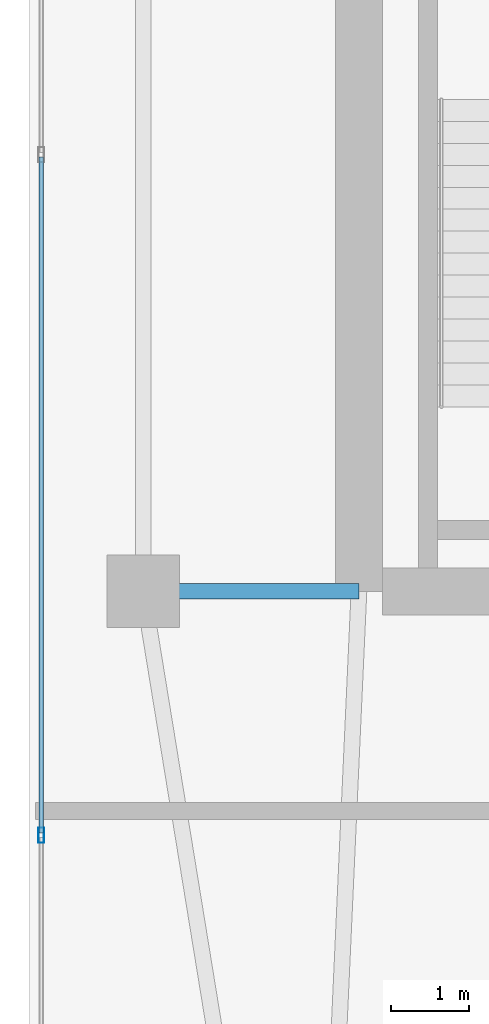
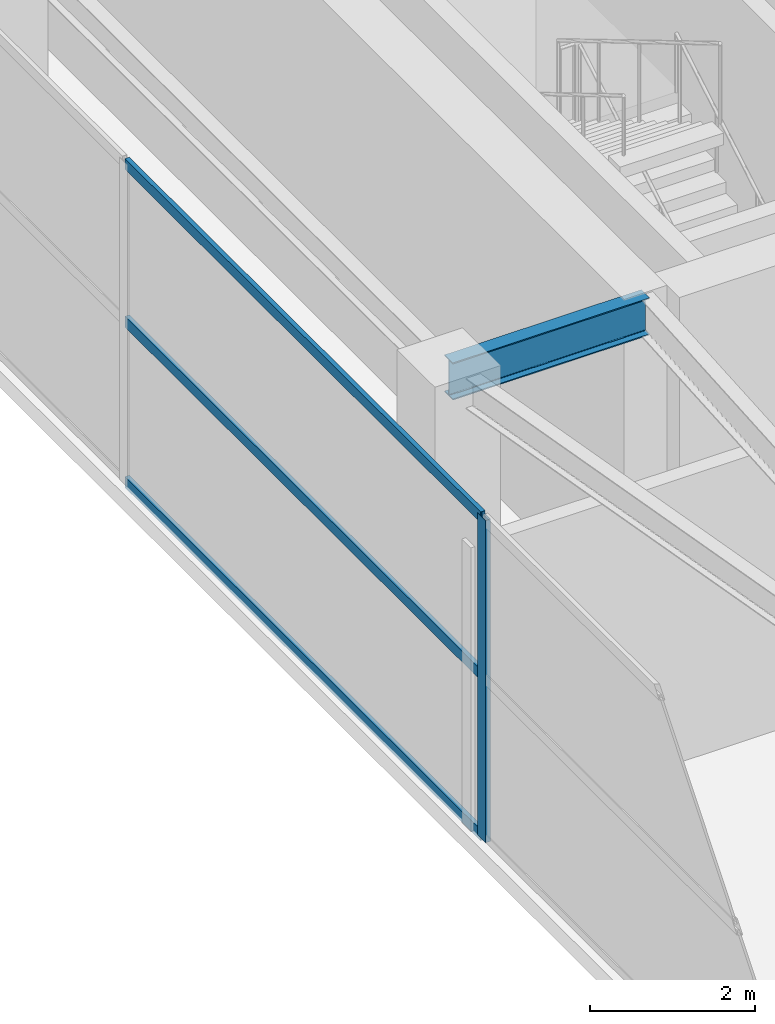
# One storey, part 6 of 22: 4 members, 1 beam, 1 element without a shape of its own.
"""IFC4 building model written with IfcOpenShell, lengths in metres."""

from ifc_helpers import new_model, si_unit, direction, frame, origin, origin_2d, place, context, subcontext, project, spatial, hollow_rectangle, i_section, extrude, material, layer, layer_set, material_profile, profile_set, type_object, element, aggregate, save


model = new_model("IFC4")

# Units and contexts
model_context = context("Model", 3, precision=1e-05, world=origin(), true_north=direction((0.0, 1.0)))
body_context = subcontext(model_context, "Body", "Model", "MODEL_VIEW")
ifc_project = project(units=[si_unit("LENGTHUNIT", "METRE"), si_unit("AREAUNIT", "SQUARE_METRE"), si_unit("VOLUMEUNIT", "CUBIC_METRE"), si_unit("PLANEANGLEUNIT", "RADIAN"), si_unit("MASSUNIT", "GRAM", prefix="KILO")], contexts=[model_context])

# Site, building, storey
site_placement = place(None, origin())
site = spatial("IfcSite", under=ifc_project, at=site_placement, CompositionType="ELEMENT")
building_placement = place(site_placement, origin())
building = spatial("IfcBuilding", under=site, at=building_placement, Name="Calvorn Quay Hotel", CompositionType="ELEMENT")
storey_placement = place(building_placement, frame((0.0, 0.0, 325.5)))
storey = spatial("IfcBuildingStorey", under=building, at=storey_placement, Name="L80", CompositionType="ELEMENT", Elevation=325.5)

# Beam
ifc_material_1 = material(Name="Steel Q355B", Category="steel")
ifc_material_profile_1 = material_profile(ifc_material_1, i_section(OverallWidth=0.199951171875, OverallDepth=0.550048828125, WebThickness=0.010009765625, FlangeThickness=0.01611328125, FilletRadius=0.01806640625, at=origin_2d()), Name="HN550x200x10x16")
ifc_profile_set_1 = profile_set([ifc_material_profile_1], Name="Steel Q355B")
beam_type = type_object("IfcBeamType", Name="BM-GIRD-UPP", PredefinedType="BEAM", material=ifc_profile_set_1)
beam_placement = place(storey_placement, frame((1.449951171875, 16.800048828125, 4.465087890625), z_axis=(1.0, 0.0, 0.0), x_axis=(0.0, 1.0, 0.0)))
element("IfcBeam", 1, at=beam_placement, inside=storey, type_object=beam_type, Name="Beam BG-L80-W1", PredefinedType="BEAM", context=body_context, shape_type="SweptSolid", body=[
    extrude(i_section(OverallWidth=0.199951171875, OverallDepth=0.550048828125, WebThickness=0.010009765625, FlangeThickness=0.01611328125, FilletRadius=0.01806640625, at=origin_2d()), origin(), (0.0, 0.0, 1.0), 2.75),
])

# Curtain wall, members
ifc_material_2 = material(Name="Pale Anodised Aluminium and Laminated Glass", Category="aluminium")
ifc_layer = layer(ifc_material_2, 0.219970703125)
ifc_layer_set = layer_set([ifc_layer], Name="CW-SYS-CRN")
curtain_wall_type = type_object("IfcCurtainWallType", Name="CW-SYS-CRN", PredefinedType="NOTDEFINED", material=ifc_layer_set)
curtain_wall_placement = place(storey_placement, origin())
curtain_wall = element("IfcCurtainWall", 2, at=curtain_wall_placement, inside=storey, type_object=curtain_wall_type, Name="Crown Curtain Wall L80-C5", PredefinedType="NOTDEFINED")
ifc_material_3 = material(Name="Pale Anodised Aluminium 6063-T6", Category="aluminium")
ifc_material_profile_2 = material_profile(ifc_material_3, hollow_rectangle(XDim=0.072021484375, YDim=0.195068359375, WallThickness=0.00390625, at=origin_2d()), Name="ALU-M195x72x4")
ifc_profile_set_2 = profile_set([ifc_material_profile_2], Name="Pale Anodised Aluminium 6063-T6")
member_type_1 = type_object("IfcMemberType", Name="CW-SYS-CRN-MUL", PredefinedType="MULLION", material=ifc_profile_set_2)
member_1_placement = place(storey_placement, frame((0.14990234375, 13.69189453125, 0.0), z_axis=(0.0, 0.0, 1.0), x_axis=(1.0, 0.0, 0.0)))
member_1 = element("IfcMember", 3, at=member_1_placement, type_object=member_type_1, Name="CW-L80-C5 mullion 5", PredefinedType="MULLION", context=body_context, shape_type="SweptSolid", body=[
    extrude(hollow_rectangle(XDim=0.072021484375, YDim=0.195068359375, WallThickness=0.00390625, at=origin_2d()), origin(), (0.0, 0.0, 1.0), 4.760009765625),
])
ifc_material_4 = material(Name="Pale Anodised Aluminium 6063-T6", Category="aluminium")
ifc_material_profile_3 = material_profile(ifc_material_4, hollow_rectangle(XDim=0.06201171875, YDim=0.159912109375, WallThickness=0.00341796875, at=origin_2d()), Name="ALU-T160x62x3.5")
ifc_profile_set_3 = profile_set([ifc_material_profile_3], Name="Pale Anodised Aluminium 6063-T6")
member_type_2 = type_object("IfcMemberType", Name="CW-SYS-CRN-TRN", PredefinedType="USERDEFINED", material=ifc_profile_set_3)
member_2_placement = place(storey_placement, frame((0.14990234375, 22.333984375, 0.030029296875), z_axis=(0.0, -1.0, 0.0), x_axis=(1.0, 0.0, 0.0)))
member_2 = element("IfcMember", 4, at=member_2_placement, type_object=member_type_2, Name="CW-L80-C5 transom 4.1", ObjectType="TRANSOM", PredefinedType="USERDEFINED", context=body_context, shape_type="SweptSolid", body=[
    extrude(hollow_rectangle(XDim=0.06201171875, YDim=0.159912109375, WallThickness=0.00341796875, at=origin_2d()), origin(), (0.0, 0.0, 1.0), 8.612060546875),
])
member_3_placement = place(storey_placement, frame((0.14990234375, 22.333984375, 2.39990234375), z_axis=(0.0, -1.0, 0.0), x_axis=(1.0, 0.0, 0.0)))
member_3 = element("IfcMember", 5, at=member_3_placement, type_object=member_type_2, Name="CW-L80-C5 transom 4.2", ObjectType="TRANSOM", PredefinedType="USERDEFINED", context=body_context, shape_type="SweptSolid", body=[
    extrude(hollow_rectangle(XDim=0.06201171875, YDim=0.159912109375, WallThickness=0.00341796875, at=origin_2d()), origin(), (0.0, 0.0, 1.0), 8.612060546875),
])
member_4_placement = place(storey_placement, frame((0.14990234375, 22.333984375, 4.72998046875), z_axis=(0.0, -1.0, 0.0), x_axis=(1.0, 0.0, 0.0)))
member_4 = element("IfcMember", 6, at=member_4_placement, type_object=member_type_2, Name="CW-L80-C5 transom 4.3", ObjectType="TRANSOM", PredefinedType="USERDEFINED", context=body_context, shape_type="SweptSolid", body=[
    extrude(hollow_rectangle(XDim=0.06201171875, YDim=0.159912109375, WallThickness=0.00341796875, at=origin_2d()), origin(), (0.0, 0.0, 1.0), 8.612060546875),
])
aggregate(curtain_wall, [member_1, member_2, member_3, member_4])

save(model, "model.ifc")
